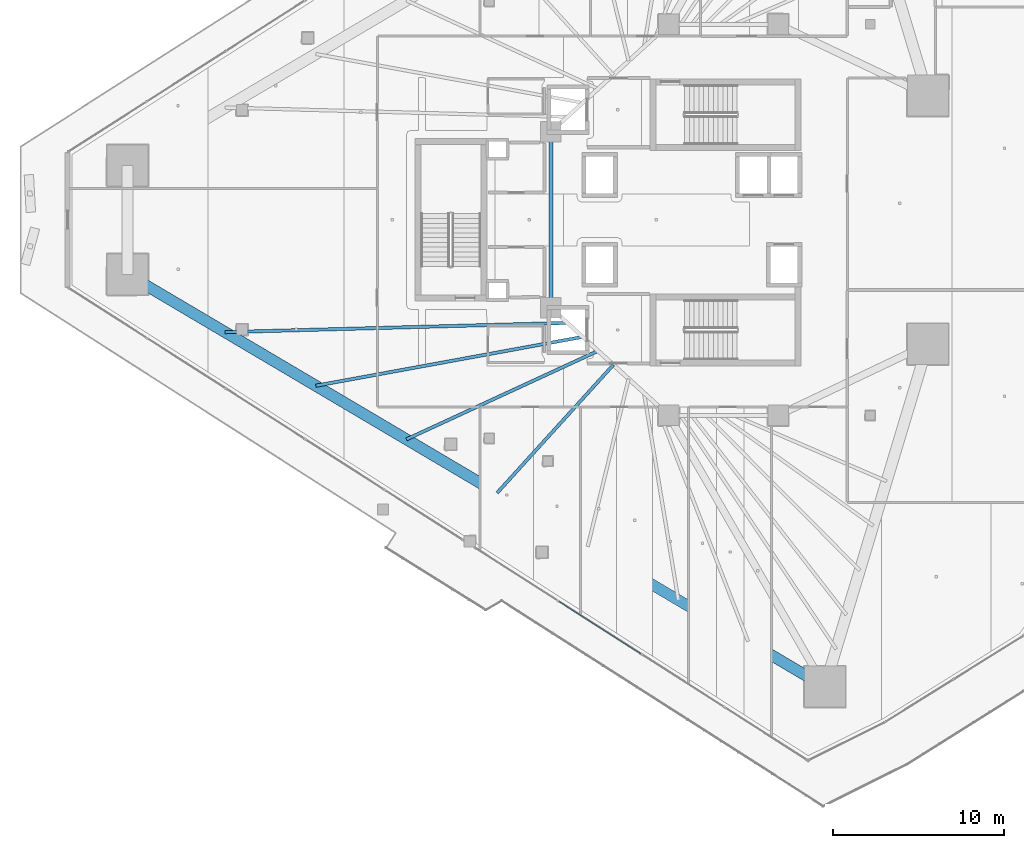
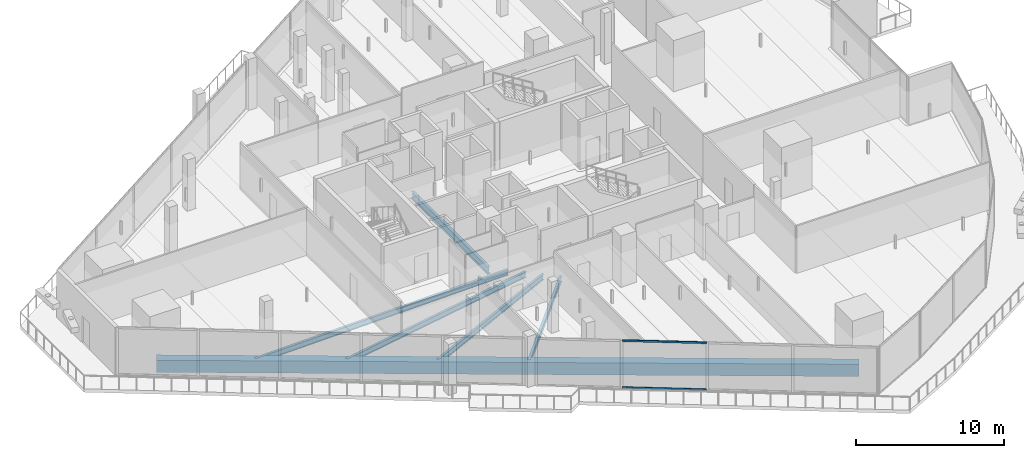
# One storey, part 6 of 45: 6 beams, 2 members, 1 element without a shape of its own.
"""IFC4 building model written with IfcOpenShell, lengths in metres."""

from ifc_helpers import new_model, si_unit, direction, frame, origin, origin_2d, place, context, subcontext, project, spatial, rectangle, hollow_rectangle, i_section, extrude, material, layer, layer_set, material_profile, profile_set, type_object, element, aggregate, save


model = new_model("IFC4")

# Units and contexts
model_context = context("Model", 3, precision=1e-05, world=origin(), true_north=direction((0.0, 1.0)))
body_context = subcontext(model_context, "Body", "Model", "MODEL_VIEW")
ifc_project = project(units=[si_unit("LENGTHUNIT", "METRE"), si_unit("AREAUNIT", "SQUARE_METRE"), si_unit("VOLUMEUNIT", "CUBIC_METRE"), si_unit("PLANEANGLEUNIT", "RADIAN"), si_unit("MASSUNIT", "GRAM", prefix="KILO")], contexts=[model_context])

# Site, building, storey
site_placement = place(None, origin())
site = spatial("IfcSite", under=ifc_project, at=site_placement, CompositionType="ELEMENT")
building_placement = place(site_placement, origin())
building = spatial("IfcBuilding", under=site, at=building_placement, Name="Qorvath Tower", CompositionType="ELEMENT")
storey_placement = place(building_placement, frame((0.0, 0.0, 91.199951171875)))
storey = spatial("IfcBuildingStorey", under=building, at=storey_placement, Name="L20", CompositionType="ELEMENT", Elevation=91.199951171875)

# Beams
ifc_material_1 = material(Name="Steel ASTM A992 Grade 50", Category="steel")
ifc_material_profile_1 = material_profile(ifc_material_1, i_section(OverallWidth=0.22998046875, OverallDepth=0.616943359375, WebThickness=0.01318359375, FlangeThickness=0.022216796875, FilletRadius=0.014892578125, at=origin_2d()), Name="W24x94")
ifc_profile_set_1 = profile_set([ifc_material_profile_1], Name="Steel ASTM A992 Grade 50")
beam_type_1 = type_object("IfcBeamType", Name="BM-FG6", PredefinedType="BEAM", material=ifc_profile_set_1)
beam_1_placement = place(storey_placement, frame((-30.5, -5.14990234375, -0.588623046875), z_axis=(0.0, 1.0, 0.0), x_axis=(-1.0, 0.0, 0.0)))
element("IfcBeam", 1, at=beam_1_placement, inside=storey, type_object=beam_type_1, Name="Core Ring Girder CC6-CC5 L20", PredefinedType="BEAM", context=body_context, shape_type="SweptSolid", body=[
    extrude(i_section(OverallWidth=0.22998046875, OverallDepth=0.616943359375, WebThickness=0.01318359375, FlangeThickness=0.022216796875, FilletRadius=0.014892578125, at=origin_2d()), origin(), (0.0, 0.0, 1.0), 10.2998046875),
])
ifc_material_2 = material(Name="Steel ASTM A992 Grade 50", Category="steel")
ifc_material_profile_2 = material_profile(ifc_material_2, i_section(OverallWidth=0.18994140625, OverallDepth=0.45703125, WebThickness=0.009033203125, FlangeThickness=0.014404296875, FilletRadius=0.011962890625, at=origin_2d()), Name="W18x50")
ifc_profile_set_2 = profile_set([ifc_material_profile_2], Name="Steel ASTM A992 Grade 50")
beam_type_2 = type_object("IfcBeamType", Name="BM-FJ2", PredefinedType="JOIST", material=ifc_profile_set_2)
beam_2_placement = place(storey_placement, frame((-29.533935546875, -6.031982421875, -0.508544921875), z_axis=(-0.999634925413, -0.02701880631, 0.0), x_axis=(0.02701880631, -0.999634925413, 0.0)))
element("IfcBeam", 2, at=beam_2_placement, inside=storey, type_object=beam_type_2, Name="Composite Floor Joist SW1 L20", PredefinedType="JOIST", context=body_context, shape_type="SweptSolid", body=[
    extrude(i_section(OverallWidth=0.18994140625, OverallDepth=0.45703125, WebThickness=0.009033203125, FlangeThickness=0.014404296875, FilletRadius=0.011962890625, at=origin_2d()), origin(), (0.0, 0.0, 1.0), 20.041748046875),
])
beam_3_placement = place(storey_placement, frame((-28.636962890625, -6.85107421875, -0.508544921875), z_axis=(-0.983656498786, -0.180055248176, 0.0), x_axis=(0.180055248176, -0.983656498786, 0.0)))
element("IfcBeam", 3, at=beam_3_placement, inside=storey, type_object=beam_type_2, Name="Composite Floor Joist SW2 L20", PredefinedType="JOIST", context=body_context, shape_type="SweptSolid", body=[
    extrude(i_section(OverallWidth=0.18994140625, OverallDepth=0.45703125, WebThickness=0.009033203125, FlangeThickness=0.014404296875, FilletRadius=0.011962890625, at=origin_2d()), origin(), (0.0, 0.0, 1.0), 15.884521484375),
])
beam_4_placement = place(storey_placement, frame((-27.739990234375, -7.669921875, -0.508544921875), z_axis=(-0.907881281747, -0.419227358665, 0.0), x_axis=(0.419227358665, -0.907881281747, 0.0)))
element("IfcBeam", 4, at=beam_4_placement, inside=storey, type_object=beam_type_2, Name="Composite Floor Joist SW3 L20", PredefinedType="JOIST", context=body_context, shape_type="SweptSolid", body=[
    extrude(i_section(OverallWidth=0.18994140625, OverallDepth=0.45703125, WebThickness=0.009033203125, FlangeThickness=0.014404296875, FilletRadius=0.011962890625, at=origin_2d()), origin(), (0.0, 0.0, 1.0), 12.353515625),
])
beam_5_placement = place(storey_placement, frame((-26.843017578125, -8.489013671875, -0.508544921875), z_axis=(-0.672128980215, -0.740434084815, 0.0), x_axis=(0.740434084815, -0.672128980215, 0.0)))
element("IfcBeam", 5, at=beam_5_placement, inside=storey, type_object=beam_type_2, Name="Composite Floor Joist SW4 L20", PredefinedType="JOIST", context=body_context, shape_type="SweptSolid", body=[
    extrude(i_section(OverallWidth=0.18994140625, OverallDepth=0.45703125, WebThickness=0.009033203125, FlangeThickness=0.014404296875, FilletRadius=0.011962890625, at=origin_2d()), origin(), (0.0, 0.0, 1.0), 10.1259765625),
])
ifc_material_3 = material(Name="Concrete C50/60", Category="concrete")
ifc_material_profile_3 = material_profile(ifc_material_3, rectangle(XDim=0.64990234375, YDim=1.0, at=origin_2d()), Name="RCB 1000x650")
ifc_profile_set_3 = profile_set([ifc_material_profile_3], Name="Concrete C50/60")
beam_type_3 = type_object("IfcBeamType", Name="BM-RCB1", PredefinedType="SPANDREL", material=ifc_profile_set_3)
beam_6_placement = place(storey_placement, frame((-55.282958984375, -3.194580078125, -0.780029296875), z_axis=(0.860777360917, -0.508981664633, 0.0), x_axis=(0.508981664633, 0.860777360917, 0.0)))
element("IfcBeam", 6, at=beam_6_placement, inside=storey, type_object=beam_type_3, Name="Perimeter Loggia Frame Beam MC2-MC3 L20", PredefinedType="SPANDREL", context=body_context, shape_type="SweptSolid", body=[
    extrude(rectangle(XDim=0.64990234375, YDim=1.0, at=origin_2d()), origin(), (0.0, 0.0, 1.0), 47.420654296875),
])

# Curtain wall, members
ifc_material_4 = material(Name="Anodised aluminium and triple low-E glass", Category="aluminium")
ifc_layer = layer(ifc_material_4, 0.179931640625)
ifc_layer_set = layer_set([ifc_layer], Name="CW-SYS-2")
curtain_wall_type = type_object("IfcCurtainWallType", Name="CW-SYS-2", PredefinedType="NOTDEFINED", material=ifc_layer_set)
curtain_wall_placement = place(storey_placement, origin())
curtain_wall = element("IfcCurtainWall", 7, at=curtain_wall_placement, inside=storey, type_object=curtain_wall_type, Name="Curtain Wall CW-2 CW-T-L20-2.2", PredefinedType="NOTDEFINED")
ifc_material_5 = material(Name="Anodised aluminium 6063-T6", Category="aluminium")
ifc_material_profile_4 = material_profile(ifc_material_5, hollow_rectangle(XDim=0.06494140625, YDim=0.159912109375, WallThickness=0.00341796875, InnerFilletRadius=0.00341796875, OuterFilletRadius=0.007080078125, at=origin_2d()), Name="CWT 160x65")
ifc_profile_set_4 = profile_set([ifc_material_profile_4], Name="Anodised aluminium 6063-T6")
member_type = type_object("IfcMemberType", Name="CWT-160", PredefinedType="USERDEFINED", material=ifc_profile_set_4)
member_1_placement = place(storey_placement, frame((-30.04345703125, -22.33251953125, 0.032470703125), z_axis=(0.842603738869, -0.538534065072, 0.0), x_axis=(0.538534065072, 0.842603738869, 0.0)))
member_1 = element("IfcMember", 8, at=member_1_placement, type_object=member_type, Name="CW-2 transom 2.1", ObjectType="TRANSOM", PredefinedType="USERDEFINED", context=body_context, shape_type="SweptSolid", body=[
    extrude(hollow_rectangle(XDim=0.06494140625, YDim=0.159912109375, WallThickness=0.00341796875, InnerFilletRadius=0.00341796875, OuterFilletRadius=0.007080078125, at=origin_2d()), origin(), (0.0, 0.0, 1.0), 5.720703125),
])
member_2_placement = place(storey_placement, frame((-30.04345703125, -22.33251953125, 3.8876953125), z_axis=(0.842603738869, -0.538534065072, 0.0), x_axis=(0.538534065072, 0.842603738869, 0.0)))
member_2 = element("IfcMember", 9, at=member_2_placement, type_object=member_type, Name="CW-2 transom 2.2", ObjectType="TRANSOM", PredefinedType="USERDEFINED", context=body_context, shape_type="SweptSolid", body=[
    extrude(hollow_rectangle(XDim=0.06494140625, YDim=0.159912109375, WallThickness=0.00341796875, InnerFilletRadius=0.00341796875, OuterFilletRadius=0.007080078125, at=origin_2d()), origin(), (0.0, 0.0, 1.0), 5.720703125),
])
aggregate(curtain_wall, [member_1, member_2])

save(model, "model.ifc")
